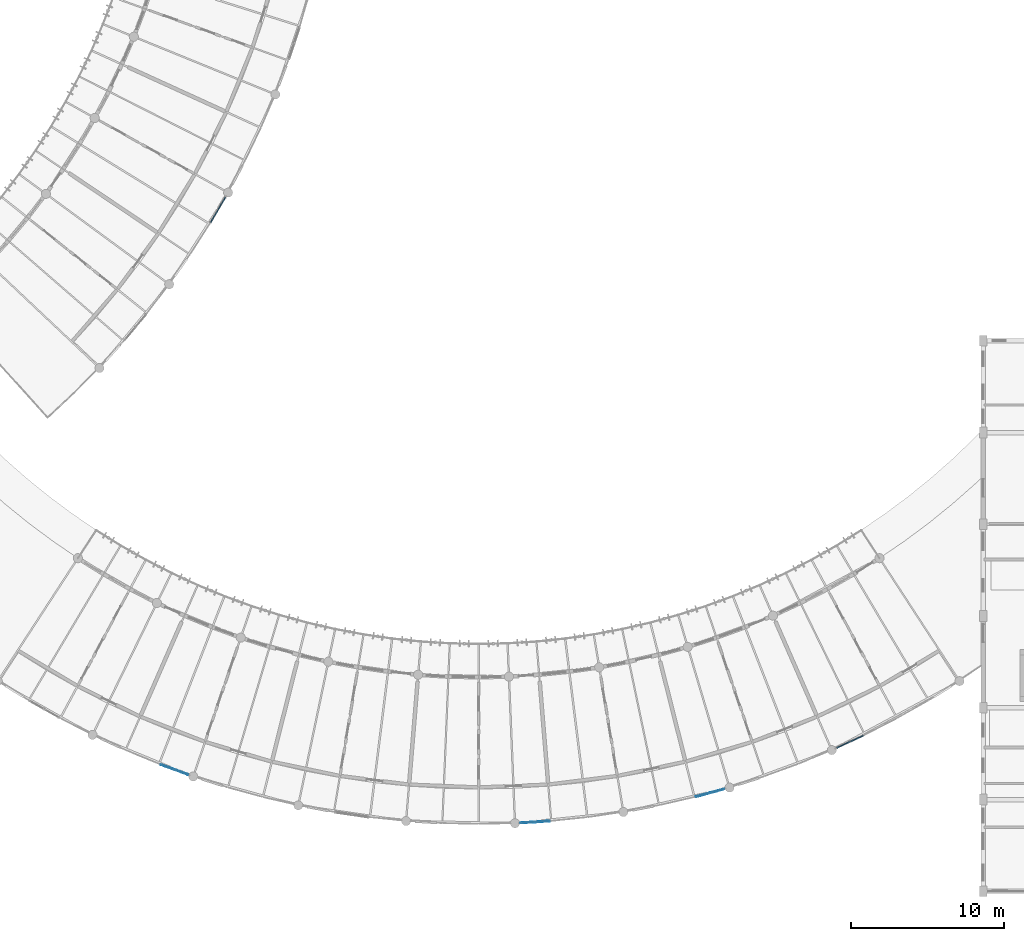
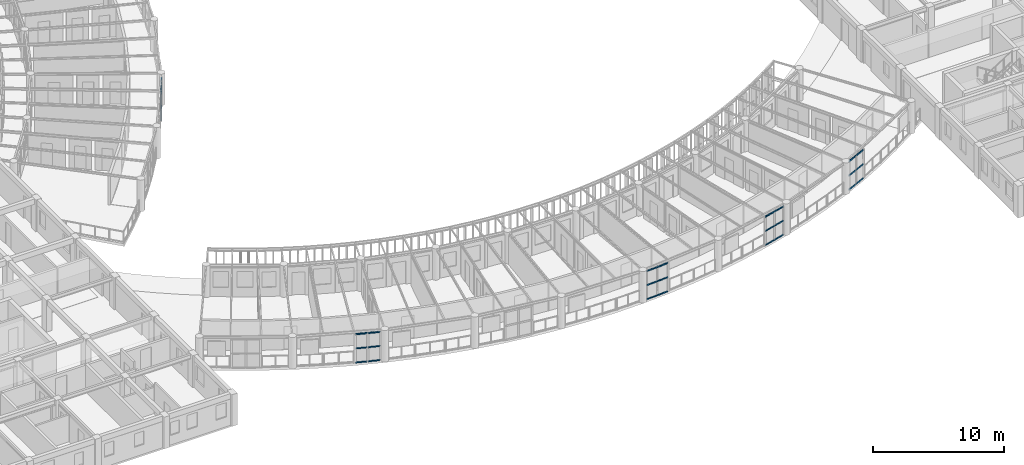
# One storey, part 42 of 101: 30 members, 5 elements without a shape of their own.
"""IFC4 building model written with IfcOpenShell, lengths in metres."""

from ifc_helpers import new_model, si_unit, direction, frame, origin, origin_2d, place, context, subcontext, project, spatial, rectangle, extrude, material, layer, layer_set, material_profile, profile_set, type_object, element, aggregate, save


model = new_model("IFC4")

# Units and contexts
model_context = context("Model", 3, precision=1e-05, world=origin(), true_north=direction((0.0, 1.0)))
body_context = subcontext(model_context, "Body", "Model", "MODEL_VIEW")
ifc_project = project(units=[si_unit("LENGTHUNIT", "METRE"), si_unit("AREAUNIT", "SQUARE_METRE"), si_unit("VOLUMEUNIT", "CUBIC_METRE"), si_unit("PLANEANGLEUNIT", "RADIAN"), si_unit("MASSUNIT", "GRAM", prefix="KILO"), si_unit("POWERUNIT", "WATT"), si_unit("THERMODYNAMICTEMPERATUREUNIT", "KELVIN")], contexts=[model_context])

# Site, building, storey
site_placement = place(None, origin())
site = spatial("IfcSite", under=ifc_project, at=site_placement, CompositionType="ELEMENT")
building_placement = place(site_placement, origin())
building = spatial("IfcBuilding", under=site, at=building_placement, Name="Ruvembo Vaulted Housing Court", CompositionType="ELEMENT")
storey_placement = place(building_placement, frame((0.0, 0.0, 17.300048828125)))
storey = spatial("IfcBuildingStorey", under=building, at=storey_placement, Name="L05", CompositionType="ELEMENT", Elevation=17.300048828125)

# Curtain wall, members
ifc_material_1 = material(Name="Anodised Aluminium and Solar-Control Glass", Category="aluminium")
ifc_layer_1 = layer(ifc_material_1, 0.1201171875, Name="Anodised Aluminium and Solar-Control Glass")
ifc_layer_set_1 = layer_set([ifc_layer_1], Name="Anodised Aluminium and Solar-Control Glass")
curtain_wall_type_1 = type_object("IfcCurtainWallType", Name="CW-SCOOP-GAL", PredefinedType="NOTDEFINED", material=ifc_layer_set_1)
curtain_wall_1_placement = place(storey_placement, origin())
curtain_wall_1 = element("IfcCurtainWall", 1, at=curtain_wall_1_placement, inside=storey, type_object=curtain_wall_type_1, Name="L05 Curtain Wall CW-L05-0054", PredefinedType="NOTDEFINED")
ifc_material_2 = material(Name="Anodised Aluminium 6063-T6", Category="aluminium")
ifc_material_profile_1 = material_profile(ifc_material_2, rectangle(XDim=0.06005859375, YDim=0.1201171875, at=origin_2d()), Name="ALU 60x120")
ifc_profile_set_1 = profile_set([ifc_material_profile_1], Name="Anodised Aluminium 6063-T6")
member_type_1 = type_object("IfcMemberType", Name="CW-TRANSOM-65x120", PredefinedType="USERDEFINED", material=ifc_profile_set_1)
member_1_placement = place(storey_placement, frame((48.21044921875, 8.28515625, 0.030029296875), z_axis=(0.939137544908, -0.343541368316, 0.0), x_axis=(0.343541368316, 0.939137544908, 0.0)))
member_1 = element("IfcMember", 2, at=member_1_placement, type_object=member_type_1, Name="CW6 transom 1.1", ObjectType="TRANSOM", PredefinedType="USERDEFINED", context=body_context, shape_type="SweptSolid", body=[
    extrude(rectangle(XDim=0.06005859375, YDim=0.1201171875, at=origin_2d()), origin(), (0.0, 0.0, 1.0), 0.915283203125),
])
member_2_placement = place(storey_placement, frame((48.21044921875, 8.28515625, 1.344970703125), z_axis=(0.939137544908, -0.343541368316, 0.0), x_axis=(0.343541368316, 0.939137544908, 0.0)))
member_2 = element("IfcMember", 3, at=member_2_placement, type_object=member_type_1, Name="CW6 transom 1.2", ObjectType="TRANSOM", PredefinedType="USERDEFINED", context=body_context, shape_type="SweptSolid", body=[
    extrude(rectangle(XDim=0.06005859375, YDim=0.1201171875, at=origin_2d()), origin(), (0.0, 0.0, 1.0), 0.915283203125),
])
member_3_placement = place(storey_placement, frame((48.21044921875, 8.28515625, 2.659912109375), z_axis=(0.939137544908, -0.343541368316, 0.0), x_axis=(0.343541368316, 0.939137544908, 0.0)))
member_3 = element("IfcMember", 4, at=member_3_placement, type_object=member_type_1, Name="CW6 transom 1.3", ObjectType="TRANSOM", PredefinedType="USERDEFINED", context=body_context, shape_type="SweptSolid", body=[
    extrude(rectangle(XDim=0.06005859375, YDim=0.1201171875, at=origin_2d()), origin(), (0.0, 0.0, 1.0), 0.915283203125),
])
member_4_placement = place(storey_placement, frame((49.131103515625, 7.9482421875, 0.030029296875), z_axis=(0.939169012108, -0.343455334354, 0.0), x_axis=(0.343455334354, 0.939169012108, 0.0)))
member_4 = element("IfcMember", 5, at=member_4_placement, type_object=member_type_1, Name="CW6 transom 2.1", ObjectType="TRANSOM", PredefinedType="USERDEFINED", context=body_context, shape_type="SweptSolid", body=[
    extrude(rectangle(XDim=0.06005859375, YDim=0.1201171875, at=origin_2d()), origin(), (0.0, 0.0, 1.0), 0.91552734375),
])
member_5_placement = place(storey_placement, frame((49.131103515625, 7.9482421875, 1.344970703125), z_axis=(0.939169012108, -0.343455334354, 0.0), x_axis=(0.343455334354, 0.939169012108, 0.0)))
member_5 = element("IfcMember", 6, at=member_5_placement, type_object=member_type_1, Name="CW6 transom 2.2", ObjectType="TRANSOM", PredefinedType="USERDEFINED", context=body_context, shape_type="SweptSolid", body=[
    extrude(rectangle(XDim=0.06005859375, YDim=0.1201171875, at=origin_2d()), origin(), (0.0, 0.0, 1.0), 0.91552734375),
])
member_6_placement = place(storey_placement, frame((49.131103515625, 7.9482421875, 2.659912109375), z_axis=(0.939169012108, -0.343455334354, 0.0), x_axis=(0.343455334354, 0.939169012108, 0.0)))
member_6 = element("IfcMember", 7, at=member_6_placement, type_object=member_type_1, Name="CW6 transom 2.3", ObjectType="TRANSOM", PredefinedType="USERDEFINED", context=body_context, shape_type="SweptSolid", body=[
    extrude(rectangle(XDim=0.06005859375, YDim=0.1201171875, at=origin_2d()), origin(), (0.0, 0.0, 1.0), 0.91552734375),
])
aggregate(curtain_wall_1, [member_1, member_2, member_3, member_4, member_5, member_6])

ifc_layer_2 = layer(ifc_material_1, 0.139892578125, Name="Anodised Aluminium and Solar-Control Glass")
ifc_layer_set_2 = layer_set([ifc_layer_2], Name="Anodised Aluminium and Solar-Control Glass")
curtain_wall_type_2 = type_object("IfcCurtainWallType", Name="CW-SCOOP-PAN", PredefinedType="NOTDEFINED", material=ifc_layer_set_2)
curtain_wall_2_placement = place(storey_placement, origin())
curtain_wall_2 = element("IfcCurtainWall", 8, at=curtain_wall_2_placement, inside=storey, type_object=curtain_wall_type_2, Name="L05 Curtain Wall CW-L05-0057", PredefinedType="NOTDEFINED")
member_7_placement = place(storey_placement, frame((83.218017578125, 6.1845703125, 0.030029296875), z_axis=(0.964249329454, 0.264996661578, 0.0), x_axis=(-0.264996661578, 0.964249329454, 0.0)))
member_7 = element("IfcMember", 9, at=member_7_placement, type_object=member_type_1, Name="CW10 transom 1.1", ObjectType="TRANSOM", PredefinedType="USERDEFINED", context=body_context, shape_type="SweptSolid", body=[
    extrude(rectangle(XDim=0.06005859375, YDim=0.1201171875, at=origin_2d()), origin(), (0.0, 0.0, 1.0), 0.923095703125),
])
member_8_placement = place(storey_placement, frame((83.218017578125, 6.1845703125, 1.344970703125), z_axis=(0.964249329454, 0.264996661578, 0.0), x_axis=(-0.264996661578, 0.964249329454, 0.0)))
member_8 = element("IfcMember", 10, at=member_8_placement, type_object=member_type_1, Name="CW10 transom 1.2", ObjectType="TRANSOM", PredefinedType="USERDEFINED", context=body_context, shape_type="SweptSolid", body=[
    extrude(rectangle(XDim=0.06005859375, YDim=0.1201171875, at=origin_2d()), origin(), (0.0, 0.0, 1.0), 0.923095703125),
])
member_9_placement = place(storey_placement, frame((83.218017578125, 6.1845703125, 2.659912109375), z_axis=(0.964249329454, 0.264996661578, 0.0), x_axis=(-0.264996661578, 0.964249329454, 0.0)))
member_9 = element("IfcMember", 11, at=member_9_placement, type_object=member_type_1, Name="CW10 transom 1.3", ObjectType="TRANSOM", PredefinedType="USERDEFINED", context=body_context, shape_type="SweptSolid", body=[
    extrude(rectangle(XDim=0.06005859375, YDim=0.1201171875, at=origin_2d()), origin(), (0.0, 0.0, 1.0), 0.923095703125),
])
member_10_placement = place(storey_placement, frame((84.166015625, 6.445068359375, 0.030029296875), z_axis=(0.964230750569, 0.265064255712, 0.0), x_axis=(-0.265064255712, 0.964230750569, 0.0)))
member_10 = element("IfcMember", 12, at=member_10_placement, type_object=member_type_1, Name="CW10 transom 2.1", ObjectType="TRANSOM", PredefinedType="USERDEFINED", context=body_context, shape_type="SweptSolid", body=[
    extrude(rectangle(XDim=0.06005859375, YDim=0.1201171875, at=origin_2d()), origin(), (0.0, 0.0, 1.0), 0.9228515625),
])
member_11_placement = place(storey_placement, frame((84.166015625, 6.445068359375, 1.344970703125), z_axis=(0.964230750569, 0.265064255712, 0.0), x_axis=(-0.265064255712, 0.964230750569, 0.0)))
member_11 = element("IfcMember", 13, at=member_11_placement, type_object=member_type_1, Name="CW10 transom 2.2", ObjectType="TRANSOM", PredefinedType="USERDEFINED", context=body_context, shape_type="SweptSolid", body=[
    extrude(rectangle(XDim=0.06005859375, YDim=0.1201171875, at=origin_2d()), origin(), (0.0, 0.0, 1.0), 0.9228515625),
])
member_12_placement = place(storey_placement, frame((84.166015625, 6.445068359375, 2.659912109375), z_axis=(0.964230750569, 0.265064255712, 0.0), x_axis=(-0.265064255712, 0.964230750569, 0.0)))
member_12 = element("IfcMember", 14, at=member_12_placement, type_object=member_type_1, Name="CW10 transom 2.3", ObjectType="TRANSOM", PredefinedType="USERDEFINED", context=body_context, shape_type="SweptSolid", body=[
    extrude(rectangle(XDim=0.06005859375, YDim=0.1201171875, at=origin_2d()), origin(), (0.0, 0.0, 1.0), 0.9228515625),
])
aggregate(curtain_wall_2, [member_7, member_8, member_9, member_10, member_11, member_12])

curtain_wall_3_placement = place(storey_placement, origin())
curtain_wall_3 = element("IfcCurtainWall", 15, at=curtain_wall_3_placement, inside=storey, type_object=curtain_wall_type_1, Name="L05 Curtain Wall CW-L05-0026", PredefinedType="NOTDEFINED")
ifc_material_profile_2 = material_profile(ifc_material_2, rectangle(XDim=0.06005859375, YDim=0.10009765625, at=origin_2d()), Name="ALU 60x100")
ifc_profile_set_2 = profile_set([ifc_material_profile_2], Name="Anodised Aluminium 6063-T6")
member_type_2 = type_object("IfcMemberType", Name="CW-TRN-60x100", PredefinedType="USERDEFINED", material=ifc_profile_set_2)
member_13_placement = place(storey_placement, frame((51.476806640625, 43.738037109375, 0.030029296875), z_axis=(0.505842674556, 0.862625752339, 0.0), x_axis=(-0.862625752339, 0.505842674556, 0.0)))
member_13 = element("IfcMember", 16, at=member_13_placement, type_object=member_type_2, Name="CW6 transom 1.1", ObjectType="TRANSOM", PredefinedType="USERDEFINED", context=body_context, shape_type="SweptSolid", body=[
    extrude(rectangle(XDim=0.06005859375, YDim=0.10009765625, at=origin_2d()), origin(), (0.0, 0.0, 1.0), 0.91552734375),
])
member_14_placement = place(storey_placement, frame((51.476806640625, 43.738037109375, 1.344970703125), z_axis=(0.505842674556, 0.862625752339, 0.0), x_axis=(-0.862625752339, 0.505842674556, 0.0)))
member_14 = element("IfcMember", 17, at=member_14_placement, type_object=member_type_2, Name="CW6 transom 1.2", ObjectType="TRANSOM", PredefinedType="USERDEFINED", context=body_context, shape_type="SweptSolid", body=[
    extrude(rectangle(XDim=0.06005859375, YDim=0.10009765625, at=origin_2d()), origin(), (0.0, 0.0, 1.0), 0.91552734375),
])
member_15_placement = place(storey_placement, frame((51.476806640625, 43.738037109375, 2.659912109375), z_axis=(0.505842674556, 0.862625752339, 0.0), x_axis=(-0.862625752339, 0.505842674556, 0.0)))
member_15 = element("IfcMember", 18, at=member_15_placement, type_object=member_type_2, Name="CW6 transom 1.3", ObjectType="TRANSOM", PredefinedType="USERDEFINED", context=body_context, shape_type="SweptSolid", body=[
    extrude(rectangle(XDim=0.06005859375, YDim=0.10009765625, at=origin_2d()), origin(), (0.0, 0.0, 1.0), 0.91552734375),
])
member_16_placement = place(storey_placement, frame((51.972900390625, 44.583984375, 0.030029296875), z_axis=(0.505924710511, 0.862577641314, 0.0), x_axis=(-0.862577641314, 0.505924710511, 0.0)))
member_16 = element("IfcMember", 19, at=member_16_placement, type_object=member_type_2, Name="CW6 transom 2.1", ObjectType="TRANSOM", PredefinedType="USERDEFINED", context=body_context, shape_type="SweptSolid", body=[
    extrude(rectangle(XDim=0.06005859375, YDim=0.10009765625, at=origin_2d()), origin(), (0.0, 0.0, 1.0), 0.916015625),
])
member_17_placement = place(storey_placement, frame((51.972900390625, 44.583984375, 1.344970703125), z_axis=(0.505924710511, 0.862577641314, 0.0), x_axis=(-0.862577641314, 0.505924710511, 0.0)))
member_17 = element("IfcMember", 20, at=member_17_placement, type_object=member_type_2, Name="CW6 transom 2.2", ObjectType="TRANSOM", PredefinedType="USERDEFINED", context=body_context, shape_type="SweptSolid", body=[
    extrude(rectangle(XDim=0.06005859375, YDim=0.10009765625, at=origin_2d()), origin(), (0.0, 0.0, 1.0), 0.916015625),
])
member_18_placement = place(storey_placement, frame((51.972900390625, 44.583984375, 2.659912109375), z_axis=(0.505924710511, 0.862577641314, 0.0), x_axis=(-0.862577641314, 0.505924710511, 0.0)))
member_18 = element("IfcMember", 21, at=member_18_placement, type_object=member_type_2, Name="CW6 transom 2.3", ObjectType="TRANSOM", PredefinedType="USERDEFINED", context=body_context, shape_type="SweptSolid", body=[
    extrude(rectangle(XDim=0.06005859375, YDim=0.10009765625, at=origin_2d()), origin(), (0.0, 0.0, 1.0), 0.916015625),
])
aggregate(curtain_wall_3, [member_13, member_14, member_15, member_16, member_17, member_18])

curtain_wall_4_placement = place(storey_placement, origin())
curtain_wall_4 = element("IfcCurtainWall", 22, at=curtain_wall_4_placement, inside=storey, type_object=curtain_wall_type_1, Name="L05 Curtain Wall CW-L05-0056", PredefinedType="NOTDEFINED")
member_19_placement = place(storey_placement, frame((71.73486328125, 4.47119140625, 0.030029296875), z_axis=(0.998082314216, 0.06190067891, 0.0), x_axis=(-0.06190067891, 0.998082314216, 0.0)))
member_19 = element("IfcMember", 23, at=member_19_placement, type_object=member_type_2, Name="CW6 transom 1.1", ObjectType="TRANSOM", PredefinedType="USERDEFINED", context=body_context, shape_type="SweptSolid", body=[
    extrude(rectangle(XDim=0.06005859375, YDim=0.10009765625, at=origin_2d()), origin(), (0.0, 0.0, 1.0), 0.9228515625),
])
member_20_placement = place(storey_placement, frame((71.73486328125, 4.47119140625, 1.344970703125), z_axis=(0.998082314216, 0.06190067891, 0.0), x_axis=(-0.06190067891, 0.998082314216, 0.0)))
member_20 = element("IfcMember", 24, at=member_20_placement, type_object=member_type_2, Name="CW6 transom 1.2", ObjectType="TRANSOM", PredefinedType="USERDEFINED", context=body_context, shape_type="SweptSolid", body=[
    extrude(rectangle(XDim=0.06005859375, YDim=0.10009765625, at=origin_2d()), origin(), (0.0, 0.0, 1.0), 0.9228515625),
])
member_21_placement = place(storey_placement, frame((71.73486328125, 4.47119140625, 2.659912109375), z_axis=(0.998082314216, 0.06190067891, 0.0), x_axis=(-0.06190067891, 0.998082314216, 0.0)))
member_21 = element("IfcMember", 25, at=member_21_placement, type_object=member_type_2, Name="CW6 transom 1.3", ObjectType="TRANSOM", PredefinedType="USERDEFINED", context=body_context, shape_type="SweptSolid", body=[
    extrude(rectangle(XDim=0.06005859375, YDim=0.10009765625, at=origin_2d()), origin(), (0.0, 0.0, 1.0), 0.9228515625),
])
member_22_placement = place(storey_placement, frame((72.716064453125, 4.531982421875, 0.030029296875), z_axis=(0.998082314216, 0.06190067891, 0.0), x_axis=(-0.06190067891, 0.998082314216, 0.0)))
member_22 = element("IfcMember", 26, at=member_22_placement, type_object=member_type_2, Name="CW6 transom 2.1", ObjectType="TRANSOM", PredefinedType="USERDEFINED", context=body_context, shape_type="SweptSolid", body=[
    extrude(rectangle(XDim=0.06005859375, YDim=0.10009765625, at=origin_2d()), origin(), (0.0, 0.0, 1.0), 0.9228515625),
])
member_23_placement = place(storey_placement, frame((72.716064453125, 4.531982421875, 1.344970703125), z_axis=(0.998082314216, 0.06190067891, 0.0), x_axis=(-0.06190067891, 0.998082314216, 0.0)))
member_23 = element("IfcMember", 27, at=member_23_placement, type_object=member_type_2, Name="CW6 transom 2.2", ObjectType="TRANSOM", PredefinedType="USERDEFINED", context=body_context, shape_type="SweptSolid", body=[
    extrude(rectangle(XDim=0.06005859375, YDim=0.10009765625, at=origin_2d()), origin(), (0.0, 0.0, 1.0), 0.9228515625),
])
member_24_placement = place(storey_placement, frame((72.716064453125, 4.531982421875, 2.659912109375), z_axis=(0.998082314216, 0.06190067891, 0.0), x_axis=(-0.06190067891, 0.998082314216, 0.0)))
member_24 = element("IfcMember", 28, at=member_24_placement, type_object=member_type_2, Name="CW6 transom 2.3", ObjectType="TRANSOM", PredefinedType="USERDEFINED", context=body_context, shape_type="SweptSolid", body=[
    extrude(rectangle(XDim=0.06005859375, YDim=0.10009765625, at=origin_2d()), origin(), (0.0, 0.0, 1.0), 0.9228515625),
])
aggregate(curtain_wall_4, [member_19, member_20, member_21, member_22, member_23, member_24])

curtain_wall_5_placement = place(storey_placement, origin())
curtain_wall_5 = element("IfcCurtainWall", 29, at=curtain_wall_5_placement, inside=storey, type_object=curtain_wall_type_2, Name="L05 Curtain Wall CW-L05-0058", PredefinedType="NOTDEFINED")
ifc_material_profile_3 = material_profile(ifc_material_2, rectangle(XDim=0.06494140625, YDim=0.135009765625, at=origin_2d()), Name="ALU 65x135")
ifc_profile_set_3 = profile_set([ifc_material_profile_3], Name="Anodised Aluminium 6063-T6")
member_type_3 = type_object("IfcMemberType", Name="CW-TRN-65x135", PredefinedType="USERDEFINED", material=ifc_profile_set_3)
member_25_placement = place(storey_placement, frame((92.4248046875, 9.385498046875, 0.032470703125), z_axis=(0.907662594884, 0.419700624074, 0.0), x_axis=(-0.419700624074, 0.907662594884, 0.0)))
member_25 = element("IfcMember", 30, at=member_25_placement, type_object=member_type_3, Name="CW10 transom 1.1", ObjectType="TRANSOM", PredefinedType="USERDEFINED", context=body_context, shape_type="SweptSolid", body=[
    extrude(rectangle(XDim=0.06494140625, YDim=0.135009765625, at=origin_2d()), origin(), (0.0, 0.0, 1.0), 0.91552734375),
])
member_26_placement = place(storey_placement, frame((92.4248046875, 9.385498046875, 1.344970703125), z_axis=(0.907662594884, 0.419700624074, 0.0), x_axis=(-0.419700624074, 0.907662594884, 0.0)))
member_26 = element("IfcMember", 31, at=member_26_placement, type_object=member_type_3, Name="CW10 transom 1.2", ObjectType="TRANSOM", PredefinedType="USERDEFINED", context=body_context, shape_type="SweptSolid", body=[
    extrude(rectangle(XDim=0.06494140625, YDim=0.135009765625, at=origin_2d()), origin(), (0.0, 0.0, 1.0), 0.91552734375),
])
member_27_placement = place(storey_placement, frame((92.4248046875, 9.385498046875, 2.657470703125), z_axis=(0.907662594884, 0.419700624074, 0.0), x_axis=(-0.419700624074, 0.907662594884, 0.0)))
member_27 = element("IfcMember", 32, at=member_27_placement, type_object=member_type_3, Name="CW10 transom 1.3", ObjectType="TRANSOM", PredefinedType="USERDEFINED", context=body_context, shape_type="SweptSolid", body=[
    extrude(rectangle(XDim=0.06494140625, YDim=0.135009765625, at=origin_2d()), origin(), (0.0, 0.0, 1.0), 0.91552734375),
])
member_28_placement = place(storey_placement, frame((93.31494140625, 9.796875, 0.032470703125), z_axis=(0.907615608524, 0.419802223866, 0.0), x_axis=(-0.419802223866, 0.907615608524, 0.0)))
member_28 = element("IfcMember", 33, at=member_28_placement, type_object=member_type_3, Name="CW10 transom 2.1", ObjectType="TRANSOM", PredefinedType="USERDEFINED", context=body_context, shape_type="SweptSolid", body=[
    extrude(rectangle(XDim=0.06494140625, YDim=0.135009765625, at=origin_2d()), origin(), (0.0, 0.0, 1.0), 0.915283203125),
])
member_29_placement = place(storey_placement, frame((93.31494140625, 9.796875, 1.344970703125), z_axis=(0.907615608524, 0.419802223866, 0.0), x_axis=(-0.419802223866, 0.907615608524, 0.0)))
member_29 = element("IfcMember", 34, at=member_29_placement, type_object=member_type_3, Name="CW10 transom 2.2", ObjectType="TRANSOM", PredefinedType="USERDEFINED", context=body_context, shape_type="SweptSolid", body=[
    extrude(rectangle(XDim=0.06494140625, YDim=0.135009765625, at=origin_2d()), origin(), (0.0, 0.0, 1.0), 0.915283203125),
])
member_30_placement = place(storey_placement, frame((93.31494140625, 9.796875, 2.657470703125), z_axis=(0.907615608524, 0.419802223866, 0.0), x_axis=(-0.419802223866, 0.907615608524, 0.0)))
member_30 = element("IfcMember", 35, at=member_30_placement, type_object=member_type_3, Name="CW10 transom 2.3", ObjectType="TRANSOM", PredefinedType="USERDEFINED", context=body_context, shape_type="SweptSolid", body=[
    extrude(rectangle(XDim=0.06494140625, YDim=0.135009765625, at=origin_2d()), origin(), (0.0, 0.0, 1.0), 0.915283203125),
])
aggregate(curtain_wall_5, [member_25, member_26, member_27, member_28, member_29, member_30])

save(model, "model.ifc")
